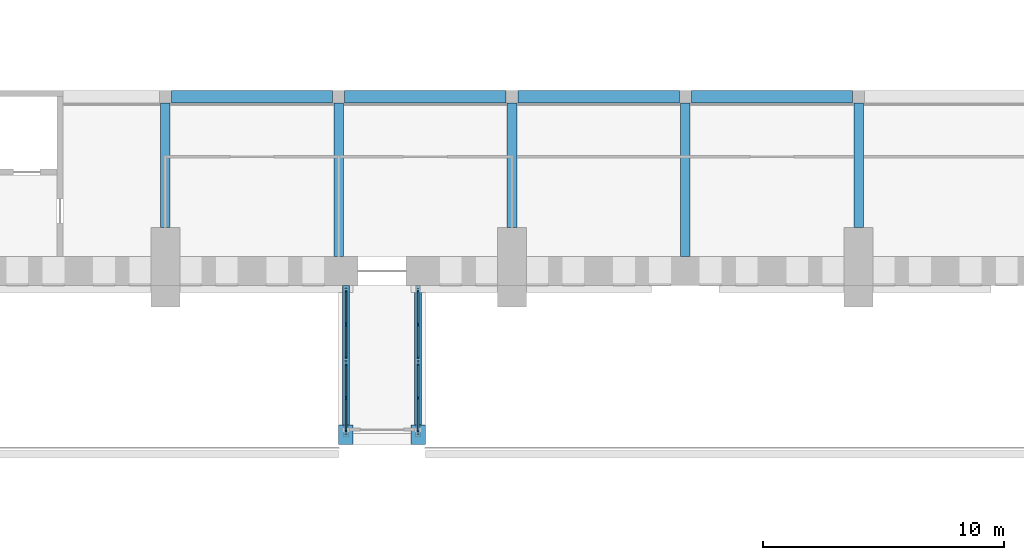
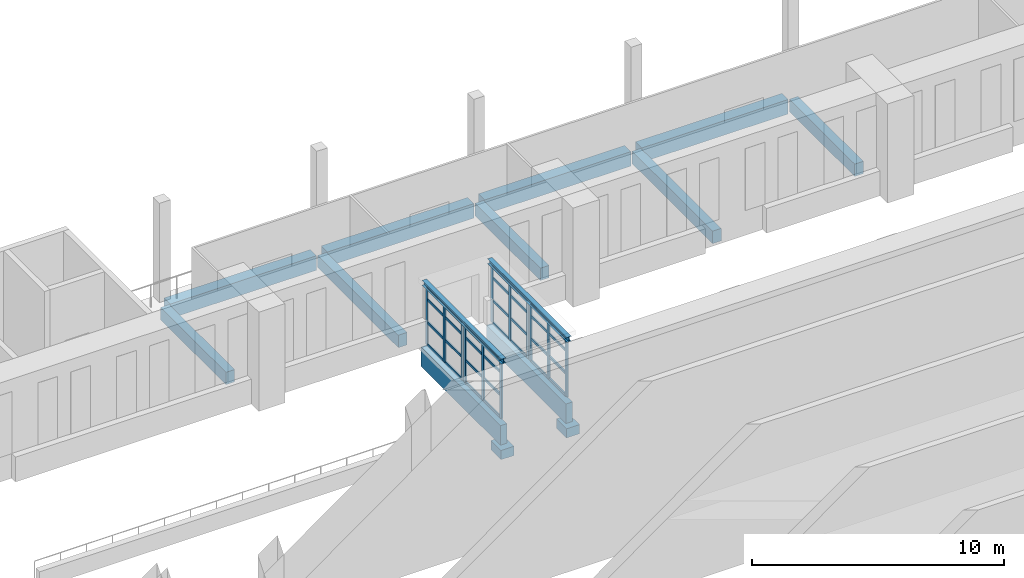
# One storey, part 35 of 131: 44 members, 15 beams, 4 elements without a shape of their own.
"""IFC4 building model written with IfcOpenShell, lengths in metres."""

from ifc_helpers import new_model, si_unit, direction, frame, origin, origin_2d, place, context, subcontext, project, spatial, rectangle, i_section, extrude, material, layer, layer_set, material_profile, profile_set, type_object, element, aggregate, save


model = new_model("IFC4")

# Units and contexts
model_context = context("Model", 3, precision=1e-05, world=origin(), true_north=direction((0.0, 1.0)))
body_context = subcontext(model_context, "Body", "Model", "MODEL_VIEW")
ifc_project = project(units=[si_unit("LENGTHUNIT", "METRE"), si_unit("AREAUNIT", "SQUARE_METRE"), si_unit("VOLUMEUNIT", "CUBIC_METRE"), si_unit("PLANEANGLEUNIT", "RADIAN"), si_unit("MASSUNIT", "GRAM", prefix="KILO")], contexts=[model_context])

# Site, building, storey
site_placement = place(None, origin())
site = spatial("IfcSite", under=ifc_project, at=site_placement, CompositionType="ELEMENT")
building_placement = place(site_placement, origin())
building = spatial("IfcBuilding", under=site, at=building_placement, Name="Alderwick Market Hall", CompositionType="ELEMENT")
storey_placement = place(building_placement, frame((0.0, 0.0, 4.800048828125)))
storey = spatial("IfcBuildingStorey", under=building, at=storey_placement, Name="L00", CompositionType="ELEMENT", Elevation=4.800048828125)

# Beams
ifc_material_1 = material(Name="Concrete 5000 psi (f'c 35 MPa)", Category="concrete")
ifc_material_profile_1 = material_profile(ifc_material_1, rectangle(XDim=0.5, YDim=0.699951171875, at=origin_2d()), Name="RC 500x700")
ifc_profile_set_1 = profile_set([ifc_material_profile_1], Name="Concrete 5000 psi (f'c 35 MPa)")
beam_type_1 = type_object("IfcBeamType", Name="H Edge beam 500x700", PredefinedType="BEAM", material=ifc_profile_set_1)
for number, where, z_axis, x_axis, name in (
    (1, (65.050048828125, 57.639892578125, -0.60009765625), (1.0, 0.0, 0.0), (0.0, 1.0, 0.0), "Gallery edge beam S"),
    (2, (72.25, 57.639892578125, -0.60009765625), (1.0, 0.0, 0.0), (0.0, 1.0, 0.0), "Gallery edge beam S"),
    (3, (79.449951171875, 57.639892578125, -0.60009765625), (1.0, 0.0, 0.0), (0.0, 1.0, 0.0), "Gallery edge beam S"),
):
    element("IfcBeam", number, at=place(storey_placement, frame(where, z_axis=z_axis, x_axis=x_axis)), inside=storey, type_object=beam_type_1, Name=name, PredefinedType="BEAM", context=body_context, shape_type="SweptSolid", body=[
        extrude(rectangle(XDim=0.5, YDim=0.699951171875, at=origin_2d()), origin(), (0.0, 0.0, 1.0), 6.699951171875),
    ])
beam_1_placement = place(storey_placement, frame((86.64990234375, 57.639892578125, -0.60009765625), z_axis=(1.0, 0.0, 0.0), x_axis=(0.0, 1.0, 0.0)))
element("IfcBeam", 4, at=beam_1_placement, inside=storey, type_object=beam_type_1, Name="Gallery edge beam S", PredefinedType="BEAM", context=body_context, shape_type="SweptSolid", body=[
    extrude(rectangle(XDim=0.5, YDim=0.699951171875, at=origin_2d()), origin(), (0.0, 0.0, 1.0), 6.7001953125),
])
ifc_material_profile_2 = material_profile(ifc_material_1, rectangle(XDim=0.39990234375, YDim=0.60009765625, at=origin_2d()), Name="RC 400x600")
ifc_profile_set_2 = profile_set([ifc_material_profile_2], Name="Concrete 5000 psi (f'c 35 MPa)")
beam_type_2 = type_object("IfcBeamType", Name="H Gallery beam 400x600", PredefinedType="BEAM", material=ifc_profile_set_2)
beam_2_placement = place(storey_placement, frame((64.800048828125, 52.199951171875, -0.550048828125), z_axis=(0.0, 1.0, 0.0), x_axis=(-1.0, 0.0, 0.0)))
element("IfcBeam", 5, at=beam_2_placement, inside=storey, type_object=beam_type_2, Name="Gallery beam S", PredefinedType="BEAM", context=body_context, shape_type="SweptSolid", body=[
    extrude(rectangle(XDim=0.39990234375, YDim=0.60009765625, at=origin_2d()), origin(), (0.0, 0.0, 1.0), 5.18994140625),
])
beam_3_placement = place(storey_placement, frame((72.0, 51.0, -0.550048828125), z_axis=(0.0, 1.0, 0.0), x_axis=(-1.0, 0.0, 0.0)))
element("IfcBeam", 6, at=beam_3_placement, inside=storey, type_object=beam_type_2, Name="Gallery beam S", PredefinedType="BEAM", context=body_context, shape_type="SweptSolid", body=[
    extrude(rectangle(XDim=0.39990234375, YDim=0.60009765625, at=origin_2d()), origin(), (0.0, 0.0, 1.0), 6.389892578125),
])
beam_4_placement = place(storey_placement, frame((79.199951171875, 52.199951171875, -0.550048828125), z_axis=(0.0, 1.0, 0.0), x_axis=(-1.0, 0.0, 0.0)))
element("IfcBeam", 7, at=beam_4_placement, inside=storey, type_object=beam_type_2, Name="Gallery beam S", PredefinedType="BEAM", context=body_context, shape_type="SweptSolid", body=[
    extrude(rectangle(XDim=0.39990234375, YDim=0.60009765625, at=origin_2d()), origin(), (0.0, 0.0, 1.0), 5.18994140625),
])
beam_5_placement = place(storey_placement, frame((86.39990234375, 51.0, -0.550048828125), z_axis=(0.0, 1.0, 0.0), x_axis=(-1.0, 0.0, 0.0)))
element("IfcBeam", 8, at=beam_5_placement, inside=storey, type_object=beam_type_2, Name="Gallery beam S", PredefinedType="BEAM", context=body_context, shape_type="SweptSolid", body=[
    extrude(rectangle(XDim=0.39990234375, YDim=0.60009765625, at=origin_2d()), origin(), (0.0, 0.0, 1.0), 6.389892578125),
])
beam_6_placement = place(storey_placement, frame((93.60009765625, 52.199951171875, -0.550048828125), z_axis=(0.0, 1.0, 0.0), x_axis=(-1.0, 0.0, 0.0)))
element("IfcBeam", 9, at=beam_6_placement, inside=storey, type_object=beam_type_2, Name="Gallery beam S", PredefinedType="BEAM", context=body_context, shape_type="SweptSolid", body=[
    extrude(rectangle(XDim=0.39990234375, YDim=0.60009765625, at=origin_2d()), origin(), (0.0, 0.0, 1.0), 5.18994140625),
])

# Curtain wall, members
ifc_material_2 = material(Name="Aluminium frame", Category="aluminium")
ifc_layer = layer(ifc_material_2, 0.10009765625)
ifc_layer_set = layer_set([ifc_layer], Name="Aluminium frame")
curtain_wall_type = type_object("IfcCurtainWallType", Name="P Curtain Wall 100", PredefinedType="NOTDEFINED", material=ifc_layer_set)
curtain_wall_1_placement = place(storey_placement, origin())
curtain_wall_1 = element("IfcCurtainWall", 10, at=curtain_wall_1_placement, inside=storey, type_object=curtain_wall_type, Name="P.P3.cw.a0", PredefinedType="NOTDEFINED")
ifc_material_profile_3 = material_profile(ifc_material_2, rectangle(XDim=0.06005859375, YDim=0.159912109375, at=origin_2d()), Name="P Mullion 60x160")
ifc_profile_set_3 = profile_set([ifc_material_profile_3], Name="Aluminium frame")
member_type_1 = type_object("IfcMemberType", Name="P Mullion 60x160", PredefinedType="MULLION", material=ifc_profile_set_3)
member_1_placement = place(storey_placement, frame((72.300048828125, 43.7060546875, 0.0), z_axis=(0.0, 0.0, 1.0), x_axis=(-1.0, 0.0, 0.0)))
member_1 = element("IfcMember", 11, at=member_1_placement, type_object=member_type_1, Name="P-CW3a0 mullion 1", PredefinedType="MULLION", context=body_context, shape_type="SweptSolid", body=[
    extrude(rectangle(XDim=0.06005859375, YDim=0.159912109375, at=origin_2d()), origin(), (0.0, 0.0, 1.0), 2.7529296875),
])
member_2_placement = place(storey_placement, frame((72.300048828125, 45.125, 0.0), z_axis=(0.0, 0.0, 1.0), x_axis=(-1.0, 0.0, 0.0)))
member_2 = element("IfcMember", 12, at=member_2_placement, type_object=member_type_1, Name="P-CW3a0 mullion 2", PredefinedType="MULLION", context=body_context, shape_type="SweptSolid", body=[
    extrude(rectangle(XDim=0.06005859375, YDim=0.159912109375, at=origin_2d()), origin(), (0.0, 0.0, 1.0), 2.7529296875),
])
member_3_placement = place(storey_placement, frame((72.300048828125, 46.5439453125, 0.0), z_axis=(0.0, 0.0, 1.0), x_axis=(-1.0, 0.0, 0.0)))
member_3 = element("IfcMember", 13, at=member_3_placement, type_object=member_type_1, Name="P-CW3a0 mullion 3", PredefinedType="MULLION", context=body_context, shape_type="SweptSolid", body=[
    extrude(rectangle(XDim=0.06005859375, YDim=0.159912109375, at=origin_2d()), origin(), (0.0, 0.0, 1.0), 2.7529296875),
])

curtain_wall_2_placement = place(storey_placement, origin())
curtain_wall_2 = element("IfcCurtainWall", 14, at=curtain_wall_2_placement, inside=storey, type_object=curtain_wall_type, Name="P.P3.cw.a1", PredefinedType="NOTDEFINED")
member_4_placement = place(storey_placement, frame((72.300048828125, 46.756103515625, 0.0), z_axis=(0.0, 0.0, 1.0), x_axis=(-1.0, 0.0, 0.0)))
member_4 = element("IfcMember", 15, at=member_4_placement, type_object=member_type_1, Name="P-CW3a1 mullion 1", PredefinedType="MULLION", context=body_context, shape_type="SweptSolid", body=[
    extrude(rectangle(XDim=0.06005859375, YDim=0.159912109375, at=origin_2d()), origin(), (0.0, 0.0, 1.0), 2.7529296875),
])
member_5_placement = place(storey_placement, frame((72.300048828125, 48.175048828125, 0.0), z_axis=(0.0, 0.0, 1.0), x_axis=(-1.0, 0.0, 0.0)))
member_5 = element("IfcMember", 16, at=member_5_placement, type_object=member_type_1, Name="P-CW3a1 mullion 2", PredefinedType="MULLION", context=body_context, shape_type="SweptSolid", body=[
    extrude(rectangle(XDim=0.06005859375, YDim=0.159912109375, at=origin_2d()), origin(), (0.0, 0.0, 1.0), 2.7529296875),
])
member_6_placement = place(storey_placement, frame((72.300048828125, 49.593994140625, 0.0), z_axis=(0.0, 0.0, 1.0), x_axis=(-1.0, 0.0, 0.0)))
member_6 = element("IfcMember", 17, at=member_6_placement, type_object=member_type_1, Name="P-CW3a1 mullion 3", PredefinedType="MULLION", context=body_context, shape_type="SweptSolid", body=[
    extrude(rectangle(XDim=0.06005859375, YDim=0.159912109375, at=origin_2d()), origin(), (0.0, 0.0, 1.0), 2.7529296875),
])

curtain_wall_3_placement = place(storey_placement, origin())
curtain_wall_3 = element("IfcCurtainWall", 18, at=curtain_wall_3_placement, inside=storey, type_object=curtain_wall_type, Name="P.P3.cw.b0", PredefinedType="NOTDEFINED")
member_7_placement = place(storey_placement, frame((75.300048828125, 43.7060546875, 0.0), z_axis=(0.0, 0.0, 1.0), x_axis=(-1.0, 0.0, 0.0)))
member_7 = element("IfcMember", 19, at=member_7_placement, type_object=member_type_1, Name="P-CW3b0 mullion 1", PredefinedType="MULLION", context=body_context, shape_type="SweptSolid", body=[
    extrude(rectangle(XDim=0.06005859375, YDim=0.159912109375, at=origin_2d()), origin(), (0.0, 0.0, 1.0), 2.7529296875),
])
member_8_placement = place(storey_placement, frame((75.300048828125, 45.125, 0.0), z_axis=(0.0, 0.0, 1.0), x_axis=(-1.0, 0.0, 0.0)))
member_8 = element("IfcMember", 20, at=member_8_placement, type_object=member_type_1, Name="P-CW3b0 mullion 2", PredefinedType="MULLION", context=body_context, shape_type="SweptSolid", body=[
    extrude(rectangle(XDim=0.06005859375, YDim=0.159912109375, at=origin_2d()), origin(), (0.0, 0.0, 1.0), 2.7529296875),
])
member_9_placement = place(storey_placement, frame((75.300048828125, 46.5439453125, 0.0), z_axis=(0.0, 0.0, 1.0), x_axis=(-1.0, 0.0, 0.0)))
member_9 = element("IfcMember", 21, at=member_9_placement, type_object=member_type_1, Name="P-CW3b0 mullion 3", PredefinedType="MULLION", context=body_context, shape_type="SweptSolid", body=[
    extrude(rectangle(XDim=0.06005859375, YDim=0.159912109375, at=origin_2d()), origin(), (0.0, 0.0, 1.0), 2.7529296875),
])

curtain_wall_4_placement = place(storey_placement, origin())
curtain_wall_4 = element("IfcCurtainWall", 22, at=curtain_wall_4_placement, inside=storey, type_object=curtain_wall_type, Name="P.P3.cw.b1", PredefinedType="NOTDEFINED")
member_10_placement = place(storey_placement, frame((75.300048828125, 46.756103515625, 0.0), z_axis=(0.0, 0.0, 1.0), x_axis=(-1.0, 0.0, 0.0)))
member_10 = element("IfcMember", 23, at=member_10_placement, type_object=member_type_1, Name="P-CW3b1 mullion 1", PredefinedType="MULLION", context=body_context, shape_type="SweptSolid", body=[
    extrude(rectangle(XDim=0.06005859375, YDim=0.159912109375, at=origin_2d()), origin(), (0.0, 0.0, 1.0), 2.7529296875),
])
member_11_placement = place(storey_placement, frame((75.300048828125, 48.175048828125, 0.0), z_axis=(0.0, 0.0, 1.0), x_axis=(-1.0, 0.0, 0.0)))
member_11 = element("IfcMember", 24, at=member_11_placement, type_object=member_type_1, Name="P-CW3b1 mullion 2", PredefinedType="MULLION", context=body_context, shape_type="SweptSolid", body=[
    extrude(rectangle(XDim=0.06005859375, YDim=0.159912109375, at=origin_2d()), origin(), (0.0, 0.0, 1.0), 2.7529296875),
])
member_12_placement = place(storey_placement, frame((75.300048828125, 49.593994140625, 0.0), z_axis=(0.0, 0.0, 1.0), x_axis=(-1.0, 0.0, 0.0)))
member_12 = element("IfcMember", 25, at=member_12_placement, type_object=member_type_1, Name="P-CW3b1 mullion 3", PredefinedType="MULLION", context=body_context, shape_type="SweptSolid", body=[
    extrude(rectangle(XDim=0.06005859375, YDim=0.159912109375, at=origin_2d()), origin(), (0.0, 0.0, 1.0), 2.7529296875),
])

# Beams
ifc_material_profile_4 = material_profile(ifc_material_1, rectangle(XDim=0.60009765625, YDim=0.449951171875, at=origin_2d()), Name="P RC Bearing Corbel 600x450")
ifc_profile_set_4 = profile_set([ifc_material_profile_4], Name="Concrete 5000 psi (f'c 35 MPa)")
beam_type_3 = type_object("IfcBeamType", Name="P RC Bearing Corbel 600x450", PredefinedType="USERDEFINED", material=ifc_profile_set_4)
for number, where, z_axis, x_axis, name in (
    (26, (72.300048828125, 44.0, -1.39306640625), (0.0, -1.0, 0.0), (1.0, 0.0, 0.0), "Bearing corbel"),
    (27, (75.300048828125, 44.0, -1.39306640625), (0.0, -1.0, 0.0), (1.0, 0.0, 0.0), "Bearing corbel"),
):
    element("IfcBeam", number, at=place(storey_placement, frame(where, z_axis=z_axis, x_axis=x_axis)), inside=storey, type_object=beam_type_3, Name=name, ObjectType="CORBEL", PredefinedType="USERDEFINED", context=body_context, shape_type="SweptSolid", body=[
        extrude(rectangle(XDim=0.60009765625, YDim=0.449951171875, at=origin_2d()), origin(), (0.0, 0.0, 1.0), 0.800048828125),
    ])
ifc_material_profile_5 = material_profile(ifc_material_1, rectangle(XDim=0.300048828125, YDim=0.949951171875, at=origin_2d()), Name="P RC Edge Girder 300x950")
ifc_profile_set_5 = profile_set([ifc_material_profile_5], Name="Concrete 5000 psi (f'c 35 MPa)")
beam_type_4 = type_object("IfcBeamType", Name="P RC Edge Girder 300x950", PredefinedType="BEAM", material=ifc_profile_set_5)
for number, where, z_axis, x_axis, name in (
    (28, (72.300048828125, 43.5, -0.675048828125), (0.0, 1.0, 0.0), (-1.0, 0.0, 0.0), "P.P3.girder.a"),
    (29, (75.300048828125, 43.5, -0.675048828125), (0.0, 1.0, 0.0), (-1.0, 0.0, 0.0), "P.P3.girder.b"),
):
    element("IfcBeam", number, at=place(storey_placement, frame(where, z_axis=z_axis, x_axis=x_axis)), inside=storey, type_object=beam_type_4, Name=name, PredefinedType="BEAM", context=body_context, shape_type="SweptSolid", body=[
        extrude(rectangle(XDim=0.300048828125, YDim=0.949951171875, at=origin_2d()), origin(), (0.0, 0.0, 1.0), 6.300048828125),
    ])
ifc_material_3 = material(Name="Steel ASTM A992 Grade 50", Category="steel")
ifc_material_profile_6 = material_profile(ifc_material_3, i_section(OverallWidth=0.201904296875, OverallDepth=0.2470703125, WebThickness=0.00732421875, FlangeThickness=0.010986328125, at=origin_2d()), Name="W250x49")
ifc_profile_set_6 = profile_set([ifc_material_profile_6], Name="Steel ASTM A992 Grade 50")
beam_type_5 = type_object("IfcBeamType", Name="P Roof Beam W250x49", PredefinedType="BEAM", material=ifc_profile_set_6)
for number, where, z_axis, x_axis, name in (
    (30, (72.300048828125, 43.5, 2.87646484375), (0.0, 1.0, 0.0), (-1.0, 0.0, 0.0), "P.P3.rbeam.a"),
    (31, (75.300048828125, 43.5, 2.87646484375), (0.0, 1.0, 0.0), (-1.0, 0.0, 0.0), "P.P3.rbeam.b"),
):
    element("IfcBeam", number, at=place(storey_placement, frame(where, z_axis=z_axis, x_axis=x_axis)), inside=storey, type_object=beam_type_5, Name=name, PredefinedType="BEAM", context=body_context, shape_type="SweptSolid", body=[
        extrude(i_section(OverallWidth=0.201904296875, OverallDepth=0.2470703125, WebThickness=0.00732421875, FlangeThickness=0.010986328125, at=origin_2d()), origin(), (0.0, 0.0, 1.0), 6.300048828125),
    ])

# Member
ifc_material_profile_7 = material_profile(ifc_material_2, rectangle(XDim=0.06005859375, YDim=0.1201171875, at=origin_2d()), Name="P Transom 60x120")
ifc_profile_set_7 = profile_set([ifc_material_profile_7], Name="Aluminium frame")
member_type_2 = type_object("IfcMemberType", Name="P Transom 60x120", PredefinedType="USERDEFINED", material=ifc_profile_set_7)
member_13_placement = place(storey_placement, frame((72.300048828125, 43.736083984375, 0.030029296875), z_axis=(0.0, 1.0, 0.0), x_axis=(-1.0, 0.0, 0.0)))
member_13 = element("IfcMember", 32, at=member_13_placement, type_object=member_type_2, Name="P-CW3a0 transom 1.1", ObjectType="TRANSOM", PredefinedType="USERDEFINED", context=body_context, shape_type="SweptSolid", body=[
    extrude(rectangle(XDim=0.06005859375, YDim=0.1201171875, at=origin_2d()), origin(), (0.0, 0.0, 1.0), 1.35888671875),
])

member_14_placement = place(storey_placement, frame((72.300048828125, 43.736083984375, 1.099853515625), z_axis=(0.0, 1.0, 0.0), x_axis=(-1.0, 0.0, 0.0)))
member_14 = element("IfcMember", 33, at=member_14_placement, type_object=member_type_2, Name="P-CW3a0 transom 1.2", ObjectType="TRANSOM", PredefinedType="USERDEFINED", context=body_context, shape_type="SweptSolid", body=[
    extrude(rectangle(XDim=0.06005859375, YDim=0.1201171875, at=origin_2d()), origin(), (0.0, 0.0, 1.0), 1.35888671875),
])

member_15_placement = place(storey_placement, frame((72.300048828125, 43.736083984375, 2.199951171875), z_axis=(0.0, 1.0, 0.0), x_axis=(-1.0, 0.0, 0.0)))
member_15 = element("IfcMember", 34, at=member_15_placement, type_object=member_type_2, Name="P-CW3a0 transom 1.3", ObjectType="TRANSOM", PredefinedType="USERDEFINED", context=body_context, shape_type="SweptSolid", body=[
    extrude(rectangle(XDim=0.06005859375, YDim=0.1201171875, at=origin_2d()), origin(), (0.0, 0.0, 1.0), 1.35888671875),
])

member_16_placement = place(storey_placement, frame((72.300048828125, 43.736083984375, 2.722900390625), z_axis=(0.0, 1.0, 0.0), x_axis=(-1.0, 0.0, 0.0)))
member_16 = element("IfcMember", 35, at=member_16_placement, type_object=member_type_2, Name="P-CW3a0 transom 1.4", ObjectType="TRANSOM", PredefinedType="USERDEFINED", context=body_context, shape_type="SweptSolid", body=[
    extrude(rectangle(XDim=0.06005859375, YDim=0.1201171875, at=origin_2d()), origin(), (0.0, 0.0, 1.0), 1.35888671875),
])

member_17_placement = place(storey_placement, frame((72.300048828125, 45.155029296875, 0.030029296875), z_axis=(0.0, 1.0, 0.0), x_axis=(-1.0, 0.0, 0.0)))
member_17 = element("IfcMember", 36, at=member_17_placement, type_object=member_type_2, Name="P-CW3a0 transom 2.1", ObjectType="TRANSOM", PredefinedType="USERDEFINED", context=body_context, shape_type="SweptSolid", body=[
    extrude(rectangle(XDim=0.06005859375, YDim=0.1201171875, at=origin_2d()), origin(), (0.0, 0.0, 1.0), 1.35888671875),
])

member_18_placement = place(storey_placement, frame((72.300048828125, 45.155029296875, 1.099853515625), z_axis=(0.0, 1.0, 0.0), x_axis=(-1.0, 0.0, 0.0)))
member_18 = element("IfcMember", 37, at=member_18_placement, type_object=member_type_2, Name="P-CW3a0 transom 2.2", ObjectType="TRANSOM", PredefinedType="USERDEFINED", context=body_context, shape_type="SweptSolid", body=[
    extrude(rectangle(XDim=0.06005859375, YDim=0.1201171875, at=origin_2d()), origin(), (0.0, 0.0, 1.0), 1.35888671875),
])

member_19_placement = place(storey_placement, frame((72.300048828125, 45.155029296875, 2.199951171875), z_axis=(0.0, 1.0, 0.0), x_axis=(-1.0, 0.0, 0.0)))
member_19 = element("IfcMember", 38, at=member_19_placement, type_object=member_type_2, Name="P-CW3a0 transom 2.3", ObjectType="TRANSOM", PredefinedType="USERDEFINED", context=body_context, shape_type="SweptSolid", body=[
    extrude(rectangle(XDim=0.06005859375, YDim=0.1201171875, at=origin_2d()), origin(), (0.0, 0.0, 1.0), 1.35888671875),
])

member_20_placement = place(storey_placement, frame((72.300048828125, 45.155029296875, 2.722900390625), z_axis=(0.0, 1.0, 0.0), x_axis=(-1.0, 0.0, 0.0)))
member_20 = element("IfcMember", 39, at=member_20_placement, type_object=member_type_2, Name="P-CW3a0 transom 2.4", ObjectType="TRANSOM", PredefinedType="USERDEFINED", context=body_context, shape_type="SweptSolid", body=[
    extrude(rectangle(XDim=0.06005859375, YDim=0.1201171875, at=origin_2d()), origin(), (0.0, 0.0, 1.0), 1.35888671875),
])

aggregate(curtain_wall_1, [member_1, member_2, member_3, member_13, member_14, member_15, member_16, member_17, member_18, member_19, member_20])

member_21_placement = place(storey_placement, frame((72.300048828125, 46.785888671875, 0.030029296875), z_axis=(0.0, 1.0, 0.0), x_axis=(-1.0, 0.0, 0.0)))
member_21 = element("IfcMember", 40, at=member_21_placement, type_object=member_type_2, Name="P-CW3a1 transom 1.1", ObjectType="TRANSOM", PredefinedType="USERDEFINED", context=body_context, shape_type="SweptSolid", body=[
    extrude(rectangle(XDim=0.06005859375, YDim=0.1201171875, at=origin_2d()), origin(), (0.0, 0.0, 1.0), 1.359130859375),
])

member_22_placement = place(storey_placement, frame((72.300048828125, 46.785888671875, 1.099853515625), z_axis=(0.0, 1.0, 0.0), x_axis=(-1.0, 0.0, 0.0)))
member_22 = element("IfcMember", 41, at=member_22_placement, type_object=member_type_2, Name="P-CW3a1 transom 1.2", ObjectType="TRANSOM", PredefinedType="USERDEFINED", context=body_context, shape_type="SweptSolid", body=[
    extrude(rectangle(XDim=0.06005859375, YDim=0.1201171875, at=origin_2d()), origin(), (0.0, 0.0, 1.0), 1.359130859375),
])

member_23_placement = place(storey_placement, frame((72.300048828125, 46.785888671875, 2.199951171875), z_axis=(0.0, 1.0, 0.0), x_axis=(-1.0, 0.0, 0.0)))
member_23 = element("IfcMember", 42, at=member_23_placement, type_object=member_type_2, Name="P-CW3a1 transom 1.3", ObjectType="TRANSOM", PredefinedType="USERDEFINED", context=body_context, shape_type="SweptSolid", body=[
    extrude(rectangle(XDim=0.06005859375, YDim=0.1201171875, at=origin_2d()), origin(), (0.0, 0.0, 1.0), 1.359130859375),
])

member_24_placement = place(storey_placement, frame((72.300048828125, 46.785888671875, 2.722900390625), z_axis=(0.0, 1.0, 0.0), x_axis=(-1.0, 0.0, 0.0)))
member_24 = element("IfcMember", 43, at=member_24_placement, type_object=member_type_2, Name="P-CW3a1 transom 1.4", ObjectType="TRANSOM", PredefinedType="USERDEFINED", context=body_context, shape_type="SweptSolid", body=[
    extrude(rectangle(XDim=0.06005859375, YDim=0.1201171875, at=origin_2d()), origin(), (0.0, 0.0, 1.0), 1.359130859375),
])

member_25_placement = place(storey_placement, frame((72.300048828125, 48.205078125, 0.030029296875), z_axis=(0.0, 1.0, 0.0), x_axis=(-1.0, 0.0, 0.0)))
member_25 = element("IfcMember", 44, at=member_25_placement, type_object=member_type_2, Name="P-CW3a1 transom 2.1", ObjectType="TRANSOM", PredefinedType="USERDEFINED", context=body_context, shape_type="SweptSolid", body=[
    extrude(rectangle(XDim=0.06005859375, YDim=0.1201171875, at=origin_2d()), origin(), (0.0, 0.0, 1.0), 1.35888671875),
])

member_26_placement = place(storey_placement, frame((72.300048828125, 48.205078125, 1.099853515625), z_axis=(0.0, 1.0, 0.0), x_axis=(-1.0, 0.0, 0.0)))
member_26 = element("IfcMember", 45, at=member_26_placement, type_object=member_type_2, Name="P-CW3a1 transom 2.2", ObjectType="TRANSOM", PredefinedType="USERDEFINED", context=body_context, shape_type="SweptSolid", body=[
    extrude(rectangle(XDim=0.06005859375, YDim=0.1201171875, at=origin_2d()), origin(), (0.0, 0.0, 1.0), 1.35888671875),
])

member_27_placement = place(storey_placement, frame((72.300048828125, 48.205078125, 2.199951171875), z_axis=(0.0, 1.0, 0.0), x_axis=(-1.0, 0.0, 0.0)))
member_27 = element("IfcMember", 46, at=member_27_placement, type_object=member_type_2, Name="P-CW3a1 transom 2.3", ObjectType="TRANSOM", PredefinedType="USERDEFINED", context=body_context, shape_type="SweptSolid", body=[
    extrude(rectangle(XDim=0.06005859375, YDim=0.1201171875, at=origin_2d()), origin(), (0.0, 0.0, 1.0), 1.35888671875),
])

member_28_placement = place(storey_placement, frame((72.300048828125, 48.205078125, 2.722900390625), z_axis=(0.0, 1.0, 0.0), x_axis=(-1.0, 0.0, 0.0)))
member_28 = element("IfcMember", 47, at=member_28_placement, type_object=member_type_2, Name="P-CW3a1 transom 2.4", ObjectType="TRANSOM", PredefinedType="USERDEFINED", context=body_context, shape_type="SweptSolid", body=[
    extrude(rectangle(XDim=0.06005859375, YDim=0.1201171875, at=origin_2d()), origin(), (0.0, 0.0, 1.0), 1.35888671875),
])

aggregate(curtain_wall_2, [member_4, member_5, member_6, member_21, member_22, member_23, member_24, member_25, member_26, member_27, member_28])

member_29_placement = place(storey_placement, frame((75.300048828125, 43.736083984375, 0.030029296875), z_axis=(0.0, 1.0, 0.0), x_axis=(-1.0, 0.0, 0.0)))
member_29 = element("IfcMember", 48, at=member_29_placement, type_object=member_type_2, Name="P-CW3b0 transom 1.1", ObjectType="TRANSOM", PredefinedType="USERDEFINED", context=body_context, shape_type="SweptSolid", body=[
    extrude(rectangle(XDim=0.06005859375, YDim=0.1201171875, at=origin_2d()), origin(), (0.0, 0.0, 1.0), 1.35888671875),
])

member_30_placement = place(storey_placement, frame((75.300048828125, 43.736083984375, 1.099853515625), z_axis=(0.0, 1.0, 0.0), x_axis=(-1.0, 0.0, 0.0)))
member_30 = element("IfcMember", 49, at=member_30_placement, type_object=member_type_2, Name="P-CW3b0 transom 1.2", ObjectType="TRANSOM", PredefinedType="USERDEFINED", context=body_context, shape_type="SweptSolid", body=[
    extrude(rectangle(XDim=0.06005859375, YDim=0.1201171875, at=origin_2d()), origin(), (0.0, 0.0, 1.0), 1.35888671875),
])

member_31_placement = place(storey_placement, frame((75.300048828125, 43.736083984375, 2.199951171875), z_axis=(0.0, 1.0, 0.0), x_axis=(-1.0, 0.0, 0.0)))
member_31 = element("IfcMember", 50, at=member_31_placement, type_object=member_type_2, Name="P-CW3b0 transom 1.3", ObjectType="TRANSOM", PredefinedType="USERDEFINED", context=body_context, shape_type="SweptSolid", body=[
    extrude(rectangle(XDim=0.06005859375, YDim=0.1201171875, at=origin_2d()), origin(), (0.0, 0.0, 1.0), 1.35888671875),
])

member_32_placement = place(storey_placement, frame((75.300048828125, 43.736083984375, 2.722900390625), z_axis=(0.0, 1.0, 0.0), x_axis=(-1.0, 0.0, 0.0)))
member_32 = element("IfcMember", 51, at=member_32_placement, type_object=member_type_2, Name="P-CW3b0 transom 1.4", ObjectType="TRANSOM", PredefinedType="USERDEFINED", context=body_context, shape_type="SweptSolid", body=[
    extrude(rectangle(XDim=0.06005859375, YDim=0.1201171875, at=origin_2d()), origin(), (0.0, 0.0, 1.0), 1.35888671875),
])

member_33_placement = place(storey_placement, frame((75.300048828125, 45.155029296875, 0.030029296875), z_axis=(0.0, 1.0, 0.0), x_axis=(-1.0, 0.0, 0.0)))
member_33 = element("IfcMember", 52, at=member_33_placement, type_object=member_type_2, Name="P-CW3b0 transom 2.1", ObjectType="TRANSOM", PredefinedType="USERDEFINED", context=body_context, shape_type="SweptSolid", body=[
    extrude(rectangle(XDim=0.06005859375, YDim=0.1201171875, at=origin_2d()), origin(), (0.0, 0.0, 1.0), 1.35888671875),
])

member_34_placement = place(storey_placement, frame((75.300048828125, 45.155029296875, 1.099853515625), z_axis=(0.0, 1.0, 0.0), x_axis=(-1.0, 0.0, 0.0)))
member_34 = element("IfcMember", 53, at=member_34_placement, type_object=member_type_2, Name="P-CW3b0 transom 2.2", ObjectType="TRANSOM", PredefinedType="USERDEFINED", context=body_context, shape_type="SweptSolid", body=[
    extrude(rectangle(XDim=0.06005859375, YDim=0.1201171875, at=origin_2d()), origin(), (0.0, 0.0, 1.0), 1.35888671875),
])

member_35_placement = place(storey_placement, frame((75.300048828125, 45.155029296875, 2.199951171875), z_axis=(0.0, 1.0, 0.0), x_axis=(-1.0, 0.0, 0.0)))
member_35 = element("IfcMember", 54, at=member_35_placement, type_object=member_type_2, Name="P-CW3b0 transom 2.3", ObjectType="TRANSOM", PredefinedType="USERDEFINED", context=body_context, shape_type="SweptSolid", body=[
    extrude(rectangle(XDim=0.06005859375, YDim=0.1201171875, at=origin_2d()), origin(), (0.0, 0.0, 1.0), 1.35888671875),
])

member_36_placement = place(storey_placement, frame((75.300048828125, 45.155029296875, 2.722900390625), z_axis=(0.0, 1.0, 0.0), x_axis=(-1.0, 0.0, 0.0)))
member_36 = element("IfcMember", 55, at=member_36_placement, type_object=member_type_2, Name="P-CW3b0 transom 2.4", ObjectType="TRANSOM", PredefinedType="USERDEFINED", context=body_context, shape_type="SweptSolid", body=[
    extrude(rectangle(XDim=0.06005859375, YDim=0.1201171875, at=origin_2d()), origin(), (0.0, 0.0, 1.0), 1.35888671875),
])

aggregate(curtain_wall_3, [member_7, member_8, member_9, member_29, member_30, member_31, member_32, member_33, member_34, member_35, member_36])

member_37_placement = place(storey_placement, frame((75.300048828125, 46.785888671875, 0.030029296875), z_axis=(0.0, 1.0, 0.0), x_axis=(-1.0, 0.0, 0.0)))
member_37 = element("IfcMember", 56, at=member_37_placement, type_object=member_type_2, Name="P-CW3b1 transom 1.1", ObjectType="TRANSOM", PredefinedType="USERDEFINED", context=body_context, shape_type="SweptSolid", body=[
    extrude(rectangle(XDim=0.06005859375, YDim=0.1201171875, at=origin_2d()), origin(), (0.0, 0.0, 1.0), 1.359130859375),
])

member_38_placement = place(storey_placement, frame((75.300048828125, 46.785888671875, 1.099853515625), z_axis=(0.0, 1.0, 0.0), x_axis=(-1.0, 0.0, 0.0)))
member_38 = element("IfcMember", 57, at=member_38_placement, type_object=member_type_2, Name="P-CW3b1 transom 1.2", ObjectType="TRANSOM", PredefinedType="USERDEFINED", context=body_context, shape_type="SweptSolid", body=[
    extrude(rectangle(XDim=0.06005859375, YDim=0.1201171875, at=origin_2d()), origin(), (0.0, 0.0, 1.0), 1.359130859375),
])

member_39_placement = place(storey_placement, frame((75.300048828125, 46.785888671875, 2.199951171875), z_axis=(0.0, 1.0, 0.0), x_axis=(-1.0, 0.0, 0.0)))
member_39 = element("IfcMember", 58, at=member_39_placement, type_object=member_type_2, Name="P-CW3b1 transom 1.3", ObjectType="TRANSOM", PredefinedType="USERDEFINED", context=body_context, shape_type="SweptSolid", body=[
    extrude(rectangle(XDim=0.06005859375, YDim=0.1201171875, at=origin_2d()), origin(), (0.0, 0.0, 1.0), 1.359130859375),
])

member_40_placement = place(storey_placement, frame((75.300048828125, 46.785888671875, 2.722900390625), z_axis=(0.0, 1.0, 0.0), x_axis=(-1.0, 0.0, 0.0)))
member_40 = element("IfcMember", 59, at=member_40_placement, type_object=member_type_2, Name="P-CW3b1 transom 1.4", ObjectType="TRANSOM", PredefinedType="USERDEFINED", context=body_context, shape_type="SweptSolid", body=[
    extrude(rectangle(XDim=0.06005859375, YDim=0.1201171875, at=origin_2d()), origin(), (0.0, 0.0, 1.0), 1.359130859375),
])

member_41_placement = place(storey_placement, frame((75.300048828125, 48.205078125, 0.030029296875), z_axis=(0.0, 1.0, 0.0), x_axis=(-1.0, 0.0, 0.0)))
member_41 = element("IfcMember", 60, at=member_41_placement, type_object=member_type_2, Name="P-CW3b1 transom 2.1", ObjectType="TRANSOM", PredefinedType="USERDEFINED", context=body_context, shape_type="SweptSolid", body=[
    extrude(rectangle(XDim=0.06005859375, YDim=0.1201171875, at=origin_2d()), origin(), (0.0, 0.0, 1.0), 1.35888671875),
])

member_42_placement = place(storey_placement, frame((75.300048828125, 48.205078125, 1.099853515625), z_axis=(0.0, 1.0, 0.0), x_axis=(-1.0, 0.0, 0.0)))
member_42 = element("IfcMember", 61, at=member_42_placement, type_object=member_type_2, Name="P-CW3b1 transom 2.2", ObjectType="TRANSOM", PredefinedType="USERDEFINED", context=body_context, shape_type="SweptSolid", body=[
    extrude(rectangle(XDim=0.06005859375, YDim=0.1201171875, at=origin_2d()), origin(), (0.0, 0.0, 1.0), 1.35888671875),
])

member_43_placement = place(storey_placement, frame((75.300048828125, 48.205078125, 2.199951171875), z_axis=(0.0, 1.0, 0.0), x_axis=(-1.0, 0.0, 0.0)))
member_43 = element("IfcMember", 62, at=member_43_placement, type_object=member_type_2, Name="P-CW3b1 transom 2.3", ObjectType="TRANSOM", PredefinedType="USERDEFINED", context=body_context, shape_type="SweptSolid", body=[
    extrude(rectangle(XDim=0.06005859375, YDim=0.1201171875, at=origin_2d()), origin(), (0.0, 0.0, 1.0), 1.35888671875),
])

member_44_placement = place(storey_placement, frame((75.300048828125, 48.205078125, 2.722900390625), z_axis=(0.0, 1.0, 0.0), x_axis=(-1.0, 0.0, 0.0)))
member_44 = element("IfcMember", 63, at=member_44_placement, type_object=member_type_2, Name="P-CW3b1 transom 2.4", ObjectType="TRANSOM", PredefinedType="USERDEFINED", context=body_context, shape_type="SweptSolid", body=[
    extrude(rectangle(XDim=0.06005859375, YDim=0.1201171875, at=origin_2d()), origin(), (0.0, 0.0, 1.0), 1.35888671875),
])

aggregate(curtain_wall_4, [member_10, member_11, member_12, member_37, member_38, member_39, member_40, member_41, member_42, member_43, member_44])

save(model, "model.ifc")
